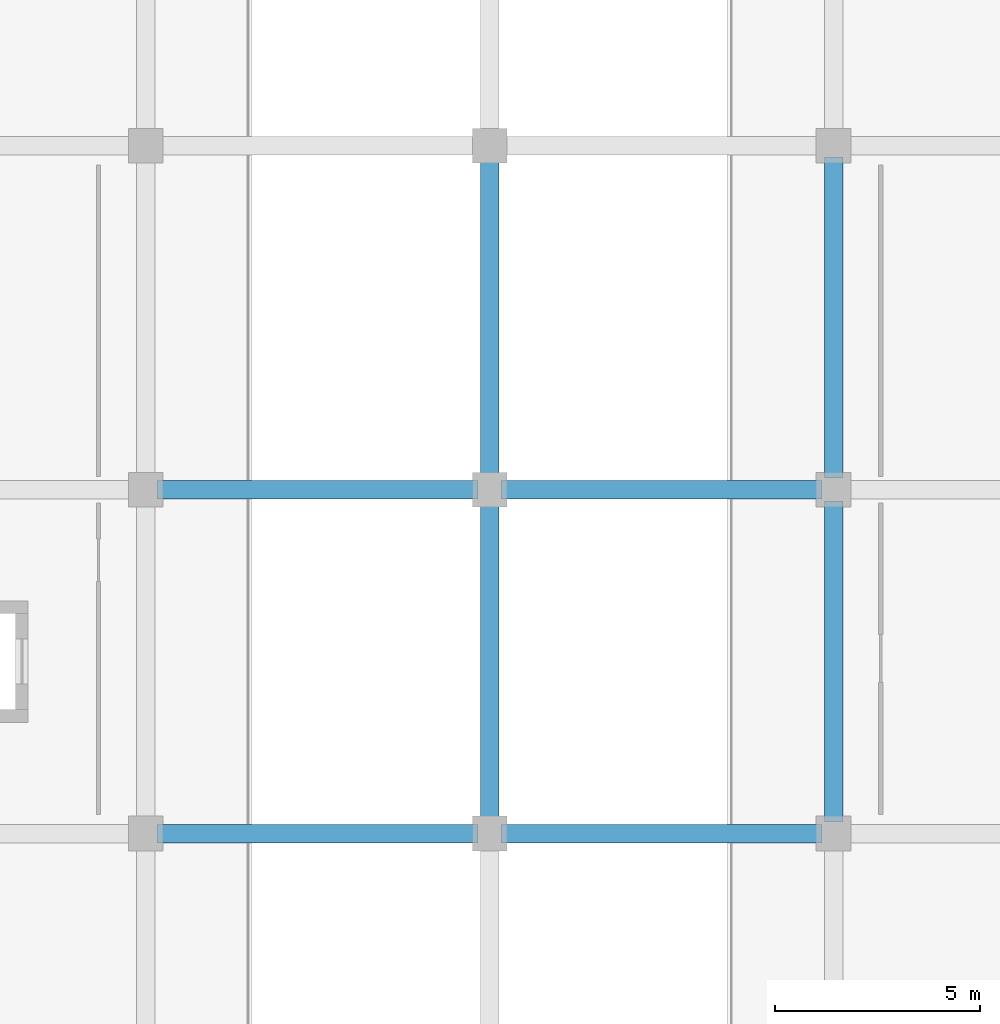
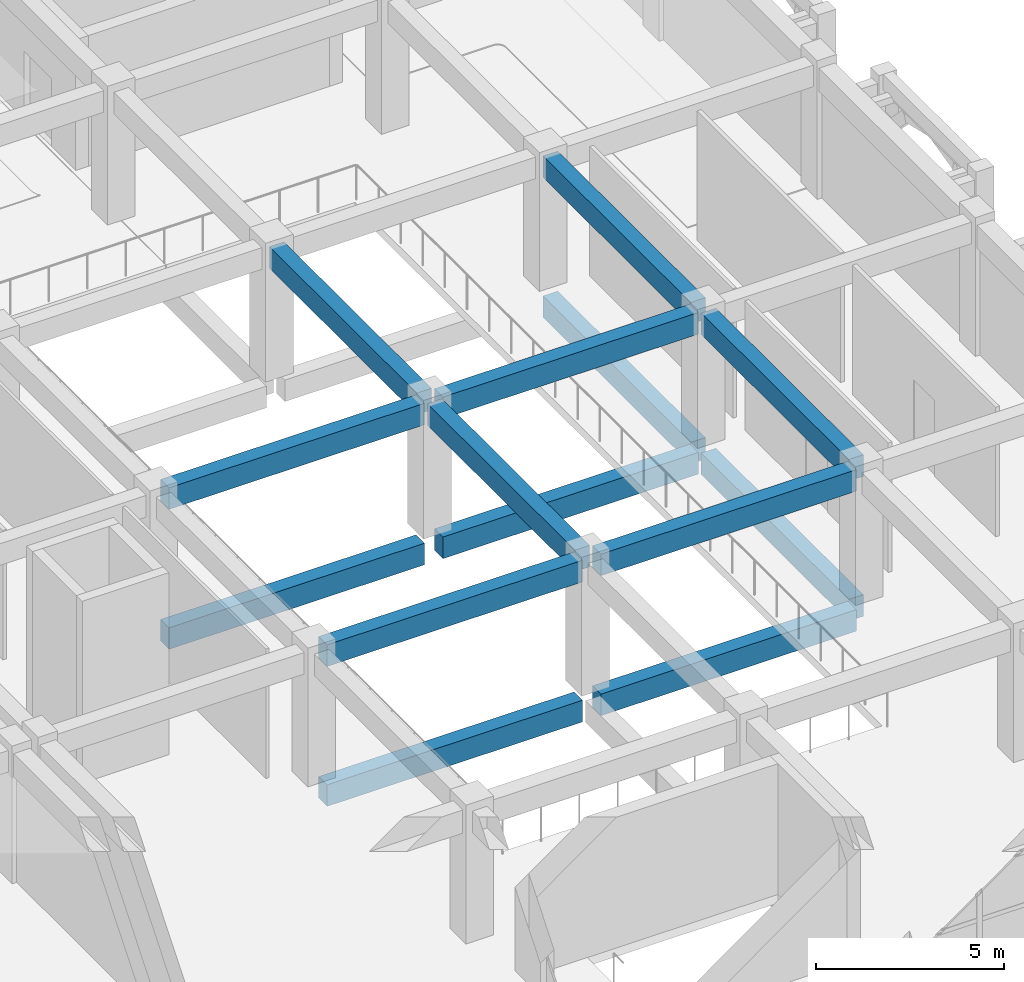
# One storey, part 31 of 129: 14 beams.
"""IFC4 building model written with IfcOpenShell, lengths in metres."""

from ifc_helpers import new_model, si_unit, direction, frame, origin, origin_2d, place, context, subcontext, project, spatial, rectangle, extrude, material, material_profile, profile_set, type_object, element, save


model = new_model("IFC4")

# Units and contexts
model_context = context("Model", 3, precision=1e-05, world=origin(), true_north=direction((0.0, 1.0)))
body_context = subcontext(model_context, "Body", "Model", "MODEL_VIEW")
ifc_project = project(units=[si_unit("LENGTHUNIT", "METRE"), si_unit("AREAUNIT", "SQUARE_METRE"), si_unit("VOLUMEUNIT", "CUBIC_METRE"), si_unit("PLANEANGLEUNIT", "RADIAN"), si_unit("MASSUNIT", "GRAM", prefix="KILO")], contexts=[model_context])

# Site, building, storey
site_placement = place(None, origin())
site = spatial("IfcSite", under=ifc_project, at=site_placement, CompositionType="ELEMENT")
building_placement = place(site_placement, origin())
building = spatial("IfcBuilding", under=site, at=building_placement, Name="Xazarin Passage Department Store", CompositionType="ELEMENT")
storey_placement = place(building_placement, frame((0.0, 0.0, 9.89990234375)))
storey = spatial("IfcBuildingStorey", under=building, at=storey_placement, Name="L02", CompositionType="ELEMENT", Elevation=9.89990234375)

# Beams
ifc_material = material(Name="Concrete C35/45", Category="concrete")
ifc_material_profile = material_profile(ifc_material, rectangle(XDim=0.449951171875, YDim=0.699951171875, at=origin_2d()), Name="RC 450x700")
ifc_profile_set = profile_set([ifc_material_profile], Name="Concrete C35/45")
beam_type = type_object("IfcBeamType", Name="STR-BM-G450x700", PredefinedType="BEAM", material=ifc_profile_set)
beam_1_placement = place(storey_placement, frame((76.679931640625, 16.800048828125, -0.64990234375), z_axis=(1.0, 0.0, 0.0), x_axis=(0.0, 1.0, 0.0)))
element("IfcBeam", 1, at=beam_1_placement, inside=storey, type_object=beam_type, Name="L02 Grid Beam C/11-12", PredefinedType="BEAM", context=body_context, shape_type="SweptSolid", body=[
    extrude(rectangle(XDim=0.449951171875, YDim=0.699951171875, at=origin_2d()), origin(), (0.0, 0.0, 1.0), 7.840087890625),
])
beam_2_placement = place(storey_placement, frame((85.080078125, 16.800048828125, -0.64990234375), z_axis=(1.0, 0.0, 0.0), x_axis=(0.0, 1.0, 0.0)))
element("IfcBeam", 2, at=beam_2_placement, inside=storey, type_object=beam_type, Name="L02 Grid Beam C/12-13", PredefinedType="BEAM", context=body_context, shape_type="SweptSolid", body=[
    extrude(rectangle(XDim=0.449951171875, YDim=0.699951171875, at=origin_2d()), origin(), (0.0, 0.0, 1.0), 7.83984375),
])
beam_3_placement = place(storey_placement, frame((76.679931640625, 25.199951171875, -0.64990234375), z_axis=(1.0, 0.0, 0.0), x_axis=(0.0, 1.0, 0.0)))
element("IfcBeam", 3, at=beam_3_placement, inside=storey, type_object=beam_type, Name="L02 Grid Beam D/11-12", PredefinedType="BEAM", context=body_context, shape_type="SweptSolid", body=[
    extrude(rectangle(XDim=0.449951171875, YDim=0.699951171875, at=origin_2d()), origin(), (0.0, 0.0, 1.0), 7.840087890625),
])
for number, where, z_axis, x_axis, name in (
    (4, (85.080078125, 25.199951171875, -0.64990234375), (1.0, 0.0, 0.0), (0.0, 1.0, 0.0), "L02 Grid Beam D/12-13"),
    (5, (93.199951171875, 17.080078125, -0.64990234375), (0.0, 1.0, 0.0), (-1.0, 0.0, 0.0), "L02 Grid Beam 13/C-D"),
):
    element("IfcBeam", number, at=place(storey_placement, frame(where, z_axis=z_axis, x_axis=x_axis)), inside=storey, type_object=beam_type, Name=name, PredefinedType="BEAM", context=body_context, shape_type="SweptSolid", body=[
        extrude(rectangle(XDim=0.449951171875, YDim=0.699951171875, at=origin_2d()), origin(), (0.0, 0.0, 1.0), 7.83984375),
    ])
for number, where, z_axis, x_axis, name in (
    (6, (93.199951171875, 25.47998046875, -0.64990234375), (0.0, 1.0, 0.0), (-1.0, 0.0, 0.0), "L02 Grid Beam 13/D-E"),
    (7, (76.679931640625, 16.800048828125, 3.89013671875), (1.0, 0.0, 0.0), (0.0, 1.0, 0.0), "L02 Grid Beam C/11-12"),
):
    element("IfcBeam", number, at=place(storey_placement, frame(where, z_axis=z_axis, x_axis=x_axis)), inside=storey, type_object=beam_type, Name=name, PredefinedType="BEAM", context=body_context, shape_type="SweptSolid", body=[
        extrude(rectangle(XDim=0.449951171875, YDim=0.699951171875, at=origin_2d()), origin(), (0.0, 0.0, 1.0), 7.840087890625),
    ])
beam_4_placement = place(storey_placement, frame((85.080078125, 16.800048828125, 3.89013671875), z_axis=(1.0, 0.0, 0.0), x_axis=(0.0, 1.0, 0.0)))
element("IfcBeam", 8, at=beam_4_placement, inside=storey, type_object=beam_type, Name="L02 Grid Beam C/12-13", PredefinedType="BEAM", context=body_context, shape_type="SweptSolid", body=[
    extrude(rectangle(XDim=0.449951171875, YDim=0.699951171875, at=origin_2d()), origin(), (0.0, 0.0, 1.0), 7.83984375),
])
beam_5_placement = place(storey_placement, frame((76.679931640625, 25.199951171875, 3.89013671875), z_axis=(1.0, 0.0, 0.0), x_axis=(0.0, 1.0, 0.0)))
element("IfcBeam", 9, at=beam_5_placement, inside=storey, type_object=beam_type, Name="L02 Grid Beam D/11-12", PredefinedType="BEAM", context=body_context, shape_type="SweptSolid", body=[
    extrude(rectangle(XDim=0.449951171875, YDim=0.699951171875, at=origin_2d()), origin(), (0.0, 0.0, 1.0), 7.840087890625),
])
for number, where, z_axis, x_axis, name in (
    (10, (85.080078125, 25.199951171875, 3.89013671875), (1.0, 0.0, 0.0), (0.0, 1.0, 0.0), "L02 Grid Beam D/12-13"),
    (11, (84.800048828125, 17.080078125, 3.89013671875), (0.0, 1.0, 0.0), (-1.0, 0.0, 0.0), "L02 Grid Beam 12/C-D"),
):
    element("IfcBeam", number, at=place(storey_placement, frame(where, z_axis=z_axis, x_axis=x_axis)), inside=storey, type_object=beam_type, Name=name, PredefinedType="BEAM", context=body_context, shape_type="SweptSolid", body=[
        extrude(rectangle(XDim=0.449951171875, YDim=0.699951171875, at=origin_2d()), origin(), (0.0, 0.0, 1.0), 7.83984375),
    ])
beam_6_placement = place(storey_placement, frame((84.800048828125, 25.47998046875, 3.89013671875), z_axis=(0.0, 1.0, 0.0), x_axis=(-1.0, 0.0, 0.0)))
element("IfcBeam", 12, at=beam_6_placement, inside=storey, type_object=beam_type, Name="L02 Grid Beam 12/D-E", PredefinedType="BEAM", context=body_context, shape_type="SweptSolid", body=[
    extrude(rectangle(XDim=0.449951171875, YDim=0.699951171875, at=origin_2d()), origin(), (0.0, 0.0, 1.0), 7.840087890625),
])
beam_7_placement = place(storey_placement, frame((93.199951171875, 17.080078125, 3.89013671875), z_axis=(0.0, 1.0, 0.0), x_axis=(-1.0, 0.0, 0.0)))
element("IfcBeam", 13, at=beam_7_placement, inside=storey, type_object=beam_type, Name="L02 Grid Beam 13/C-D", PredefinedType="BEAM", context=body_context, shape_type="SweptSolid", body=[
    extrude(rectangle(XDim=0.449951171875, YDim=0.699951171875, at=origin_2d()), origin(), (0.0, 0.0, 1.0), 7.83984375),
])
beam_8_placement = place(storey_placement, frame((93.199951171875, 25.47998046875, 3.89013671875), z_axis=(0.0, 1.0, 0.0), x_axis=(-1.0, 0.0, 0.0)))
element("IfcBeam", 14, at=beam_8_placement, inside=storey, type_object=beam_type, Name="L02 Grid Beam 13/D-E", PredefinedType="BEAM", context=body_context, shape_type="SweptSolid", body=[
    extrude(rectangle(XDim=0.449951171875, YDim=0.699951171875, at=origin_2d()), origin(), (0.0, 0.0, 1.0), 7.840087890625),
])

save(model, "model.ifc")
